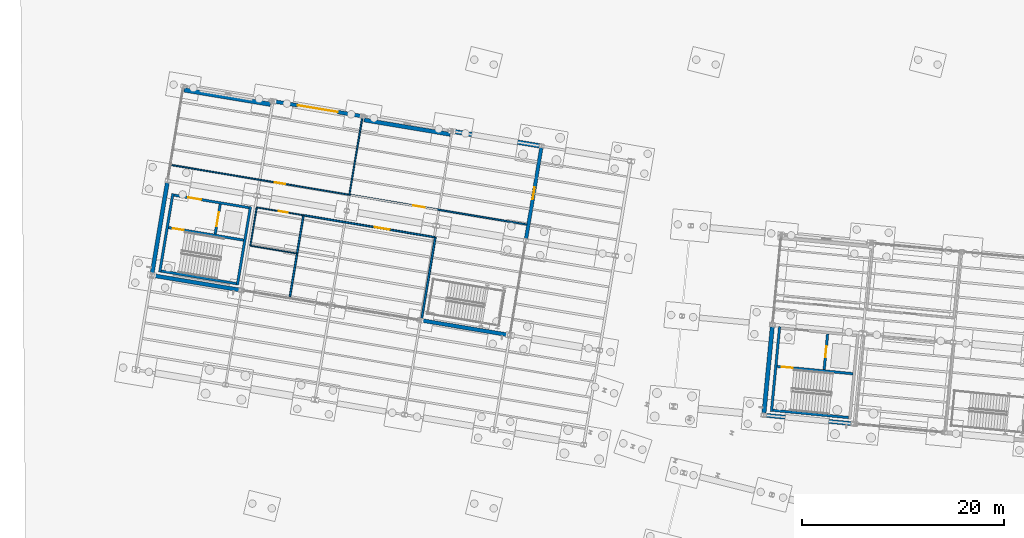
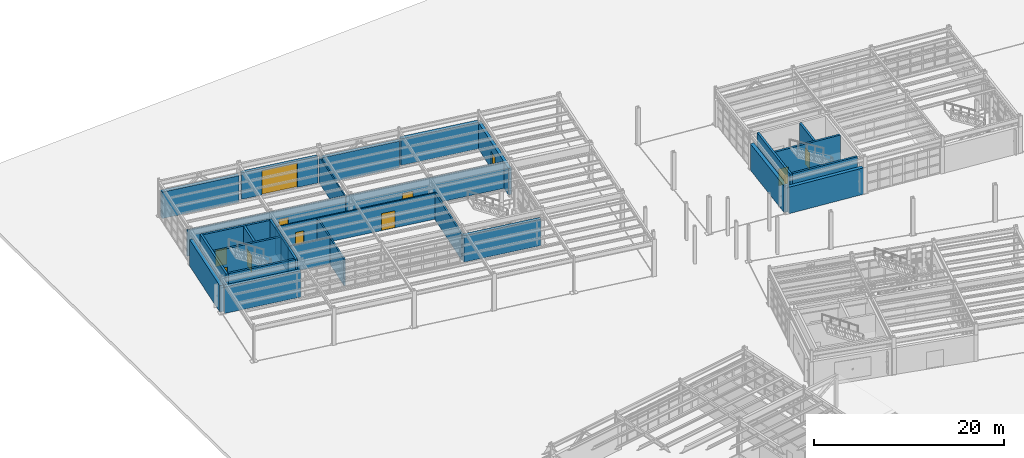
# One storey, part 86 of 108: 29 walls, 11 doors, 11 openings.
"""IFC4 building model written with IfcOpenShell, lengths in metres."""

from ifc_helpers import new_model, si_unit, direction, frame, frame_2d, origin, origin_with_axes, place, context, subcontext, project, spatial, rectangle, extrude, material, layer, layer_set, type_object, element, fill, save


model = new_model("IFC4")

# Units and contexts
model_context = context("Model", 3, precision=1e-05, world=origin(), true_north=direction((0.0, 1.0)))
body_context = subcontext(model_context, "Body", "Model", "MODEL_VIEW")
ifc_project = project(units=[si_unit("LENGTHUNIT", "METRE"), si_unit("AREAUNIT", "SQUARE_METRE"), si_unit("VOLUMEUNIT", "CUBIC_METRE"), si_unit("PLANEANGLEUNIT", "RADIAN"), si_unit("MASSUNIT", "GRAM", prefix="KILO")], contexts=[model_context])

# Site, building, storey
site_placement = place(None, origin())
site = spatial("IfcSite", under=ifc_project, at=site_placement, CompositionType="ELEMENT")
building_placement = place(site_placement, origin())
building = spatial("IfcBuilding", under=site, at=building_placement, Name="Vireo Bluff Cable Station", CompositionType="ELEMENT")
storey_placement = place(building_placement, origin())
storey = spatial("IfcBuildingStorey", under=building, at=storey_placement, Name="L00", CompositionType="ELEMENT", Elevation=0.0)

# Wall, opening, door
ifc_material_1 = material(Name="Precast concrete f'c 45 MPa", Category="concrete")
ifc_layer_1 = layer(ifc_material_1, 0.35009765625, Name="Precast concrete f'c 45 MPa")
ifc_layer_set_1 = layer_set([ifc_layer_1], Name="Precast concrete f'c 45 MPa")
wall_type_1 = type_object("IfcWallType", Name="EW-PRECAST-350", PredefinedType="SOLIDWALL", material=ifc_layer_set_1)
wall_1_placement = place(storey_placement, frame((45.6845703125, 93.5146484375, 0.0), z_axis=(0.0, 0.0, 1.0), x_axis=(-0.165040405131, -0.986286806499, 0.0)))
wall_1 = element("IfcWall", 1, at=wall_1_placement, inside=storey, type_object=wall_type_1, Name="V4 L00 east exterior wall 72", PredefinedType="SOLIDWALL", context=body_context, shape_type="SweptSolid", body=[
    extrude(rectangle(XDim=9.134521484375, YDim=0.35009765625, at=frame_2d((4.5673828125, 0.0))), origin(), (0.0, 0.0, 1.0), 3.39990234375),
])
opening_1_placement = place(wall_1_placement, frame((3.96728515625, 0.0, 0.0)))
opening_1 = element("IfcOpeningElement", 2, at=opening_1_placement, cuts=wall_1, Name="Opening ED-005", PredefinedType="OPENING", context=body_context, shape_type="SweptSolid", body=[
    extrude(rectangle(XDim=1.199951171875, YDim=2.199951171875, at=frame_2d((0.60009765625, 1.10009765625))), frame((0.0, 0.18505859375, 0.0), z_axis=(0.0, -1.0, 0.0), x_axis=(1.0, 0.0, 0.0)), (0.0, 0.0, 1.0), 0.3701171875),
])
ifc_material_2 = material(Name="Anodized Aluminium 6063-T6", Category="aluminium")
door_type_1 = type_object("IfcDoorType", Name="EDOOR-1200X2200", OperationType="NOTDEFINED", PredefinedType="DOOR", material=ifc_material_2)
door_1_placement = place(opening_1_placement, origin_with_axes())
door_1 = element("IfcDoor", 3, at=door_1_placement, inside=storey, type_object=door_type_1, Name="V4 L00 plaza exit door ED-005", OperationType="SINGLE_SWING_RIGHT", OverallHeight=2.199951171875, OverallWidth=1.199951171875, PredefinedType="DOOR", context=body_context, shape_type="SweptSolid", body=[
    extrude(rectangle(XDim=1.199951171875, YDim=2.199951171875, at=frame_2d((0.60009765625, 1.10009765625))), frame((0.0, 0.02490234375, 0.0), z_axis=(0.0, -1.0, 0.0), x_axis=(1.0, 0.0, 0.0)), (0.0, 0.0, 1.0), 0.050048828125),
])
fill(opening_1, door_1)

# Walls
ifc_layer_2 = layer(ifc_material_1, 0.3798828125, Name="Precast concrete f'c 45 MPa")
ifc_layer_set_2 = layer_set([ifc_layer_2], Name="Precast concrete f'c 45 MPa")
wall_type_2 = type_object("IfcWallType", Name="EW-PRECAST-380", PredefinedType="SOLIDWALL", material=ifc_layer_set_2)
wall_2_placement = place(storey_placement, frame((42.37451171875, 74.96142578125, 0.0), z_axis=(0.0, 0.0, 1.0), x_axis=(-0.986285932654, 0.16504562717, 0.0)))
element("IfcWall", 4, at=wall_2_placement, inside=storey, type_object=wall_type_2, Name="V4 L00 south exterior wall 65", PredefinedType="SOLIDWALL", context=body_context, shape_type="SweptSolid", body=[
    extrude(rectangle(XDim=8.693359375, YDim=0.3798828125, at=frame_2d((4.3466796875, 0.0))), origin(), (0.0, 0.0, 1.0), 3.39990234375),
])
ifc_layer_3 = layer(ifc_material_1, 0.389892578125, Name="Precast concrete f'c 45 MPa")
ifc_layer_set_3 = layer_set([ifc_layer_3], Name="Precast concrete f'c 45 MPa")
wall_type_3 = type_object("IfcWallType", Name="EW-PRECAST-390", PredefinedType="SOLIDWALL", material=ifc_layer_set_3)
wall_3_placement = place(storey_placement, frame((15.742431640625, 79.418212890625, 0.0), z_axis=(0.0, 0.0, 1.0), x_axis=(-0.986290059757, 0.165020962379, 0.0)))
element("IfcWall", 5, at=wall_3_placement, inside=storey, type_object=wall_type_3, Name="V4 L00 south exterior wall 66", PredefinedType="SOLIDWALL", context=body_context, shape_type="SweptSolid", body=[
    extrude(rectangle(XDim=8.5927734375, YDim=0.389892578125, at=frame_2d((4.29638671875, 0.0))), origin(), (0.0, 0.0, 1.0), 3.39990234375),
])
ifc_layer_4 = layer(ifc_material_1, 0.39990234375, Name="Precast concrete f'c 45 MPa")
ifc_layer_set_4 = layer_set([ifc_layer_4], Name="Precast concrete f'c 45 MPa")
wall_type_4 = type_object("IfcWallType", Name="EW-PRECAST-400", PredefinedType="SOLIDWALL", material=ifc_layer_set_4)
wall_4_placement = place(storey_placement, frame((7.101318359375, 81.068359375, 0.0), z_axis=(0.0, 0.0, 1.0), x_axis=(0.165021285013, 0.986290005776, 0.0)))
element("IfcWall", 6, at=wall_4_placement, inside=storey, type_object=wall_type_4, Name="V4 L00 west exterior wall 67", PredefinedType="SOLIDWALL", context=body_context, shape_type="SweptSolid", body=[
    extrude(rectangle(XDim=9.09716796875, YDim=0.39990234375, at=frame_2d((4.548583984375, 0.0))), origin(), (0.0, 0.0, 1.0), 3.39990234375),
])
ifc_layer_5 = layer(ifc_material_1, 0.409912109375, Name="Precast concrete f'c 45 MPa")
ifc_layer_set_5 = layer_set([ifc_layer_5], Name="Precast concrete f'c 45 MPa")
wall_type_5 = type_object("IfcWallType", Name="EW-PRECAST-410", PredefinedType="SOLIDWALL", material=ifc_layer_set_5)
wall_5_placement = place(storey_placement, frame((76.49267578125, 66.160888671875, 0.0), z_axis=(0.0, 0.0, 1.0), x_axis=(-0.995396995902, 0.095837469448, 0.0)))
element("IfcWall", 7, at=wall_5_placement, inside=storey, type_object=wall_type_5, Name="V3 L00 south exterior wall 48", PredefinedType="SOLIDWALL", context=body_context, shape_type="SweptSolid", body=[
    extrude(rectangle(XDim=8.592529296875, YDim=0.409912109375, at=frame_2d((4.29638671875, 0.0))), origin(), (0.0, 0.0, 1.0), 3.39990234375),
])
ifc_layer_6 = layer(ifc_material_1, 0.419921875, Name="Precast concrete f'c 45 MPa")
ifc_layer_set_6 = layer_set([ifc_layer_6], Name="Precast concrete f'c 45 MPa")
wall_type_6 = type_object("IfcWallType", Name="EW-PRECAST-420", PredefinedType="SOLIDWALL", material=ifc_layer_set_6)
wall_6_placement = place(storey_placement, frame((67.75732421875, 67.204345703125, 0.0), z_axis=(0.0, 0.0, 1.0), x_axis=(0.09585811698, 0.995395007728, 0.0)))
element("IfcWall", 8, at=wall_6_placement, inside=storey, type_object=wall_type_6, Name="V3 L00 west exterior wall 49", PredefinedType="SOLIDWALL", context=body_context, shape_type="SweptSolid", body=[
    extrude(rectangle(XDim=8.588134765625, YDim=0.419921875, at=frame_2d((4.2939453125, 0.0))), origin(), (0.0, 0.0, 1.0), 3.39990234375),
])
ifc_material_3 = material(Name="Fire-Rated Gypsum Board Partition")
ifc_layer_7 = layer(ifc_material_3, 0.110107421875, Name="Fire-Rated Gypsum Board Partition")
ifc_layer_set_7 = layer_set([ifc_layer_7], Name="Fire-Rated Gypsum Board Partition")
wall_type_7 = type_object("IfcWallType", Name="PT-1HR-110", PredefinedType="PARTITIONING", material=ifc_layer_set_7)
wall_7_placement = place(storey_placement, frame((21.42138671875, 83.0302734375, 0.0), z_axis=(0.0, 0.0, 1.0), x_axis=(-0.986281592059, 0.165071563771, 0.0)))
element("IfcWall", 9, at=wall_7_placement, inside=storey, type_object=wall_type_7, Name="V4 L00 Accessible WC L00-V4 S partition", PredefinedType="PARTITIONING", context=body_context, shape_type="SweptSolid", body=[
    extrude(rectangle(XDim=4.64990234375, YDim=0.110107421875, at=frame_2d((2.324951171875, 0.0))), origin(), (0.0, 0.0, 1.0), 3.3798828125),
])

# Wall, opening, door
ifc_layer_8 = layer(ifc_material_3, 0.1201171875, Name="Fire-Rated Gypsum Board Partition")
ifc_layer_set_8 = layer_set([ifc_layer_8], Name="Fire-Rated Gypsum Board Partition")
wall_type_8 = type_object("IfcWallType", Name="PT-1HR-120", PredefinedType="PARTITIONING", material=ifc_layer_set_8)
wall_8_placement = place(storey_placement, frame((17.470703125, 87.594970703125, 0.0), z_axis=(0.0, 0.0, 1.0), x_axis=(0.986290138779, -0.165020490082, 0.0)))
wall_8 = element("IfcWall", 10, at=wall_8_placement, inside=storey, type_object=wall_type_8, Name="V4 L00 Accessible WC L00-V4 N partition", PredefinedType="PARTITIONING", context=body_context, shape_type="SweptSolid", body=[
    extrude(rectangle(XDim=4.64990234375, YDim=0.1201171875, at=frame_2d((2.324951171875, 0.0))), origin(), (0.0, 0.0, 1.0), 3.3798828125),
])
opening_2_placement = place(wall_8_placement, frame((2.20458984375, 0.0, 0.0)))
opening_2 = element("IfcOpeningElement", 11, at=opening_2_placement, cuts=wall_8, Name="Opening D-0089", PredefinedType="OPENING", context=body_context, shape_type="SweptSolid", body=[
    extrude(rectangle(XDim=0.919921875, YDim=2.1201171875, at=frame_2d((0.4599609375, 1.06005859375))), frame((0.0, 0.070068359375, 0.0), z_axis=(0.0, -1.0, 0.0), x_axis=(1.0, 0.0, 0.0)), (0.0, 0.0, 1.0), 0.14013671875),
])
door_type_2 = type_object("IfcDoorType", Name="IDOOR60-920X2120", OperationType="NOTDEFINED", PredefinedType="DOOR", material=ifc_material_2)
door_2_placement = place(opening_2_placement, origin_with_axes())
door_2 = element("IfcDoor", 12, at=door_2_placement, inside=storey, type_object=door_type_2, Name="V4 L00 Accessible WC L00-V4 door D-0089", OperationType="SINGLE_SWING_RIGHT", OverallHeight=2.1201171875, OverallWidth=0.919921875, PredefinedType="DOOR", context=body_context, shape_type="SweptSolid", body=[
    extrude(rectangle(XDim=0.919921875, YDim=2.1201171875, at=frame_2d((0.4599609375, 1.06005859375))), frame((0.0, 0.02490234375, 0.0), z_axis=(0.0, -1.0, 0.0), x_axis=(1.0, 0.0, 0.0)), (0.0, 0.0, 1.0), 0.050048828125),
])
fill(opening_2, door_2)

ifc_layer_9 = layer(ifc_material_3, 0.1298828125, Name="Fire-Rated Gypsum Board Partition")
ifc_layer_set_9 = layer_set([ifc_layer_9], Name="Fire-Rated Gypsum Board Partition")
wall_type_9 = type_object("IfcWallType", Name="PT-1HR-130", PredefinedType="PARTITIONING", material=ifc_layer_set_9)
wall_9_placement = place(storey_placement, frame((26.653076171875, 88.8466796875, 0.0), z_axis=(0.0, 0.0, 1.0), x_axis=(-0.986287135312, 0.165038440121, 0.0)))
wall_9 = element("IfcWall", 13, at=wall_9_placement, inside=storey, type_object=wall_type_9, Name="V4 L00 Heavy Tool Crib S partition", PredefinedType="PARTITIONING", context=body_context, shape_type="SweptSolid", body=[
    extrude(rectangle(XDim=17.829833984375, YDim=0.1298828125, at=frame_2d((8.9150390625, 0.0))), origin(), (0.0, 0.0, 1.0), 3.3798828125),
])
opening_3_placement = place(wall_9_placement, frame((6.43505859375, 0.0, 0.0)))
opening_3 = element("IfcOpeningElement", 14, at=opening_3_placement, cuts=wall_9, Name="Opening D-0086", PredefinedType="OPENING", context=body_context, shape_type="SweptSolid", body=[
    extrude(rectangle(XDim=1.050048828125, YDim=2.199951171875, at=frame_2d((0.52490234375, 1.10009765625))), frame((0.0, 0.074951171875, 0.0), z_axis=(0.0, -1.0, 0.0), x_axis=(1.0, 0.0, 0.0)), (0.0, 0.0, 1.0), 0.14990234375),
])
door_type_3 = type_object("IfcDoorType", Name="IDOOR60-1050X2200", OperationType="NOTDEFINED", PredefinedType="DOOR", material=ifc_material_2)
door_3_placement = place(opening_3_placement, origin_with_axes())
door_3 = element("IfcDoor", 15, at=door_3_placement, inside=storey, type_object=door_type_3, Name="V4 L00 Heavy Tool Crib door D-0086", OperationType="SINGLE_SWING_LEFT", OverallHeight=2.199951171875, OverallWidth=1.050048828125, PredefinedType="DOOR", context=body_context, shape_type="SweptSolid", body=[
    extrude(rectangle(XDim=1.050048828125, YDim=2.199951171875, at=frame_2d((0.52490234375, 1.10009765625))), frame((0.0, 0.02490234375, 0.0), z_axis=(0.0, -1.0, 0.0), x_axis=(1.0, 0.0, 0.0)), (0.0, 0.0, 1.0), 0.050048828125),
])
fill(opening_3, door_3)

# Walls
wall_10_placement = place(storey_placement, frame((16.835205078125, 83.7978515625, 0.0), z_axis=(0.0, 0.0, 1.0), x_axis=(0.165067370347, 0.986282293893, 0.0)))
element("IfcWall", 16, at=wall_10_placement, inside=storey, type_object=wall_type_9, Name="V4 L00 Accessible WC L00-V4 W partition", PredefinedType="PARTITIONING", context=body_context, shape_type="SweptSolid", body=[
    extrude(rectangle(XDim=3.849853515625, YDim=0.1298828125, at=frame_2d((1.9248046875, 0.0))), origin(), (0.0, 0.0, 1.0), 3.3798828125),
])
ifc_layer_10 = layer(ifc_material_3, 0.139892578125, Name="Fire-Rated Gypsum Board Partition")
ifc_layer_set_10 = layer_set([ifc_layer_10], Name="Fire-Rated Gypsum Board Partition")
wall_type_10 = type_object("IfcWallType", Name="PT-1HR-140", PredefinedType="PARTITIONING", material=ifc_layer_set_10)
wall_11_placement = place(storey_placement, frame((27.928955078125, 96.470703125, 0.0), z_axis=(0.0, 0.0, 1.0), x_axis=(-0.165054518639, -0.98628444471, 0.0)))
element("IfcWall", 17, at=wall_11_placement, inside=storey, type_object=wall_type_10, Name="V4 L00 Heavy Tool Crib E partition", PredefinedType="PARTITIONING", context=body_context, shape_type="SweptSolid", body=[
    extrude(rectangle(XDim=7.72998046875, YDim=0.139892578125, at=frame_2d((3.864990234375, 0.0))), origin(), (0.0, 0.0, 1.0), 3.3798828125),
])

# Wall, opening, door
ifc_layer_11 = layer(ifc_material_3, 0.14990234375, Name="Fire-Rated Gypsum Board Partition")
ifc_layer_set_11 = layer_set([ifc_layer_11], Name="Fire-Rated Gypsum Board Partition")
wall_type_11 = type_object("IfcWallType", Name="PT-1HR-150", PredefinedType="PARTITIONING", material=ifc_layer_set_11)
wall_12_placement = place(storey_placement, frame((44.238525390625, 85.90380859375, 0.0), z_axis=(0.0, 0.0, 1.0), x_axis=(-0.986285344318, 0.165049142935, 0.0)))
wall_12 = element("IfcWall", 18, at=wall_12_placement, inside=storey, type_object=wall_type_11, Name="V4 L00 Staff Locker Room L00 S partition", PredefinedType="PARTITIONING", context=body_context, shape_type="SweptSolid", body=[
    extrude(rectangle(XDim=17.780029296875, YDim=0.14990234375, at=frame_2d((8.89013671875, 0.0))), origin(), (0.0, 0.0, 1.0), 3.3798828125),
])
opening_4_placement = place(wall_12_placement, frame((10.251953125, 0.0, 0.0)))
opening_4 = element("IfcOpeningElement", 19, at=opening_4_placement, cuts=wall_12, Name="Opening D-0087", PredefinedType="OPENING", context=body_context, shape_type="SweptSolid", body=[
    extrude(rectangle(XDim=1.14990234375, YDim=2.14990234375, at=frame_2d((0.574951171875, 1.074951171875))), frame((0.0, 0.0849609375, 0.0), z_axis=(0.0, -1.0, 0.0), x_axis=(1.0, 0.0, 0.0)), (0.0, 0.0, 1.0), 0.169921875),
])
door_type_4 = type_object("IfcDoorType", Name="IDOOR60-1150X2150", OperationType="NOTDEFINED", PredefinedType="DOOR", material=ifc_material_2)
door_4_placement = place(opening_4_placement, origin_with_axes())
door_4 = element("IfcDoor", 20, at=door_4_placement, inside=storey, type_object=door_type_4, Name="V4 L00 Staff Locker Room L00 door D-0087", OperationType="SINGLE_SWING_RIGHT", OverallHeight=2.14990234375, OverallWidth=1.14990234375, PredefinedType="DOOR", context=body_context, shape_type="SweptSolid", body=[
    extrude(rectangle(XDim=1.14990234375, YDim=2.14990234375, at=frame_2d((0.574951171875, 1.074951171875))), frame((0.0, 0.02490234375, 0.0), z_axis=(0.0, -1.0, 0.0), x_axis=(1.0, 0.0, 0.0)), (0.0, 0.0, 1.0), 0.050048828125),
])
fill(opening_4, door_4)

ifc_layer_12 = layer(ifc_material_3, 0.1650390625, Name="Fire-Rated Gypsum Board Partition")
ifc_layer_set_12 = layer_set([ifc_layer_12], Name="Fire-Rated Gypsum Board Partition")
wall_type_12 = type_object("IfcWallType", Name="PT-1HR-165", PredefinedType="PARTITIONING", material=ifc_layer_set_12)
wall_13_placement = place(storey_placement, frame((22.106201171875, 86.8193359375, 0.0), z_axis=(0.0, 0.0, 1.0), x_axis=(0.986284147331, -0.165056295617, 0.0)))
wall_13 = element("IfcWall", 21, at=wall_13_placement, inside=storey, type_object=wall_type_12, Name="V4 L00 Ropeway Parts Store N partition", PredefinedType="PARTITIONING", context=body_context, shape_type="SweptSolid", body=[
    extrude(rectangle(XDim=13.25, YDim=0.1650390625, at=frame_2d((6.625, 0.0))), origin(), (0.0, 0.0, 1.0), 3.3798828125),
])
opening_5_placement = place(wall_13_placement, frame((7.177001953125, 0.0, 0.0)))
opening_5 = element("IfcOpeningElement", 22, at=opening_5_placement, cuts=wall_13, Name="Opening D-0088", PredefinedType="OPENING", context=body_context, shape_type="SweptSolid", body=[
    extrude(rectangle(XDim=1.5, YDim=2.199951171875, at=frame_2d((0.75, 1.10009765625))), frame((0.0, 0.092529296875, 0.0), z_axis=(0.0, -1.0, 0.0), x_axis=(1.0, 0.0, 0.0)), (0.0, 0.0, 1.0), 0.18505859375),
])
door_type_5 = type_object("IfcDoorType", Name="IDOOR60-1500X2200", OperationType="NOTDEFINED", PredefinedType="DOOR", material=ifc_material_2)
door_5_placement = place(opening_5_placement, origin_with_axes())
door_5 = element("IfcDoor", 23, at=door_5_placement, inside=storey, type_object=door_type_5, Name="V4 L00 Ropeway Parts Store door D-0088", OperationType="DOUBLE_DOOR_SINGLE_SWING", OverallHeight=2.199951171875, OverallWidth=1.5, PredefinedType="DOOR", context=body_context, shape_type="SweptSolid", body=[
    extrude(rectangle(XDim=1.5, YDim=2.199951171875, at=frame_2d((0.75, 1.10009765625))), frame((0.0, 0.02490234375, 0.0), z_axis=(0.0, -1.0, 0.0), x_axis=(1.0, 0.0, 0.0)), (0.0, 0.0, 1.0), 0.050048828125),
])
fill(opening_5, door_5)

# Walls
ifc_layer_13 = layer(ifc_material_3, 0.175048828125, Name="Fire-Rated Gypsum Board Partition")
ifc_layer_set_13 = layer_set([ifc_layer_13], Name="Fire-Rated Gypsum Board Partition")
wall_type_13 = type_object("IfcWallType", Name="PT-1HR-175", PredefinedType="PARTITIONING", material=ifc_layer_set_13)
wall_14_placement = place(storey_placement, frame((20.756103515625, 78.75146484375, 0.0), z_axis=(0.0, 0.0, 1.0), x_axis=(0.165047493803, 0.986285620289, 0.0)))
element("IfcWall", 24, at=wall_14_placement, inside=storey, type_object=wall_type_13, Name="V4 L00 Ropeway Parts Store W partition", PredefinedType="PARTITIONING", context=body_context, shape_type="SweptSolid", body=[
    extrude(rectangle(XDim=8.18017578125, YDim=0.175048828125, at=frame_2d((4.090087890625, 0.0))), origin(), (0.0, 0.0, 1.0), 3.3798828125),
])
ifc_layer_14 = layer(ifc_material_3, 0.18994140625, Name="Fire-Rated Gypsum Board Partition")
ifc_layer_set_14 = layer_set([ifc_layer_14], Name="Fire-Rated Gypsum Board Partition")
wall_type_14 = type_object("IfcWallType", Name="PT-1HR-190", PredefinedType="PARTITIONING", material=ifc_layer_set_14)
wall_15_placement = place(storey_placement, frame((35.174560546875, 84.63232421875, 0.0), z_axis=(0.0, 0.0, 1.0), x_axis=(-0.165052352368, -0.986284807233, 0.0)))
element("IfcWall", 25, at=wall_15_placement, inside=storey, type_object=wall_type_14, Name="V4 L00 Ropeway Parts Store E partition", PredefinedType="PARTITIONING", context=body_context, shape_type="SweptSolid", body=[
    extrude(rectangle(XDim=8.179931640625, YDim=0.18994140625, at=frame_2d((4.08984375, 0.0))), origin(), (0.0, 0.0, 1.0), 3.3798828125),
])

# Wall, opening, door
ifc_material_4 = material(Name="Concrete f'c 40 MPa", Category="concrete")
ifc_layer_15 = layer(ifc_material_4, 0.360107421875, Name="Concrete f'c 40 MPa")
ifc_layer_set_15 = layer_set([ifc_layer_15], Name="Concrete f'c 40 MPa")
wall_type_15 = type_object("IfcWallType", Name="RW-CONC-360", PredefinedType="USERDEFINED", material=ifc_layer_set_15)
wall_16_placement = place(storey_placement, frame((19.28271484375, 98.08984375, 0.0), z_axis=(0.0, 0.0, 1.0), x_axis=(0.986284660962, -0.165053226421, 0.0)))
wall_16 = element("IfcWall", 26, at=wall_16_placement, inside=storey, type_object=wall_type_15, Name="V4 L00 north exterior wall 69", ObjectType="RETAINING WALL", PredefinedType="USERDEFINED", context=body_context, shape_type="SweptSolid", body=[
    extrude(rectangle(XDim=8.592529296875, YDim=0.360107421875, at=frame_2d((4.29638671875, 0.0))), origin(), (0.0, 0.0, 1.0), 3.39990234375),
])
opening_6_placement = place(wall_16_placement, frame((2.296142578125, 0.0, 0.0)))
opening_6 = element("IfcOpeningElement", 27, at=opening_6_placement, cuts=wall_16, Name="Opening VG-02", PredefinedType="OPENING", context=body_context, shape_type="SweptSolid", body=[
    extrude(rectangle(XDim=4.0, YDim=3.14990234375, at=frame_2d((2.0, 1.574951171875))), frame((0.0, 0.18994140625, 0.0), z_axis=(0.0, -1.0, 0.0), x_axis=(1.0, 0.0, 0.0)), (0.0, 0.0, 1.0), 0.380126953125),
])
ifc_material_5 = material(Name="Standing-Seam Titanium-Zinc Cladding")
door_type_6 = type_object("IfcDoorType", Name="VGATE-4000X3150", OperationType="ROLLINGUP", PredefinedType="GATE", material=ifc_material_5)
door_6_placement = place(opening_6_placement, origin_with_axes())
door_6 = element("IfcDoor", 28, at=door_6_placement, inside=storey, type_object=door_type_6, Name="V4 L00 roller shutter gate VG-02", OperationType="ROLLINGUP", OverallHeight=3.14990234375, OverallWidth=4.0, PredefinedType="GATE", context=body_context, shape_type="SweptSolid", body=[
    extrude(rectangle(XDim=4.0, YDim=3.14990234375, at=frame_2d((2.0, 1.574951171875))), frame((0.0, 0.02490234375, 0.0), z_axis=(0.0, -1.0, 0.0), x_axis=(1.0, 0.0, 0.0)), (0.0, 0.0, 1.0), 0.050048828125),
])
fill(opening_6, door_6)

# Walls
ifc_layer_16 = layer(ifc_material_4, 0.39990234375, Name="Concrete f'c 40 MPa")
ifc_layer_set_16 = layer_set([ifc_layer_16], Name="Concrete f'c 40 MPa")
wall_type_16 = type_object("IfcWallType", Name="RW-CONC-400", PredefinedType="USERDEFINED", material=ifc_layer_set_16)
wall_17_placement = place(storey_placement, frame((28.1005859375, 96.26953125, 0.0), z_axis=(0.0, 0.0, 1.0), x_axis=(0.986286366257, -0.165043036012, 0.0)))
element("IfcWall", 29, at=wall_17_placement, inside=storey, type_object=wall_type_16, Name="V4 L00 north exterior wall 70", ObjectType="RETAINING WALL", PredefinedType="USERDEFINED", context=body_context, shape_type="SweptSolid", body=[
    extrude(rectangle(XDim=8.6669921875, YDim=0.39990234375, at=frame_2d((4.33349609375, 0.0))), origin(), (0.0, 0.0, 1.0), 3.39990234375),
])
ifc_layer_17 = layer(ifc_material_4, 0.449951171875, Name="Concrete f'c 40 MPa")
ifc_layer_set_17 = layer_set([ifc_layer_17], Name="Concrete f'c 40 MPa")
wall_type_17 = type_object("IfcWallType", Name="RW-CONC-450", PredefinedType="USERDEFINED", material=ifc_layer_set_17)
wall_18_placement = place(storey_placement, frame((10.27490234375, 99.25244140625, 0.0), z_axis=(0.0, 0.0, 1.0), x_axis=(0.986287882535, -0.165033974575, 0.0)))
element("IfcWall", 30, at=wall_18_placement, inside=storey, type_object=wall_type_17, Name="V4 L00 north exterior wall 68", ObjectType="RETAINING WALL", PredefinedType="USERDEFINED", context=body_context, shape_type="SweptSolid", body=[
    extrude(rectangle(XDim=8.666015625, YDim=0.449951171875, at=frame_2d((4.3330078125, 0.0))), origin(), (0.0, 0.0, 1.0), 3.39990234375),
])
wall_19_placement = place(storey_placement, frame((36.962158203125, 95.13134765625, 0.0), z_axis=(0.0, 0.0, 1.0), x_axis=(0.98628576008, -0.165046658444, 0.0)))
element("IfcWall", 31, at=wall_19_placement, inside=storey, type_object=wall_type_17, Name="V4 L00 north exterior wall 71", ObjectType="RETAINING WALL", PredefinedType="USERDEFINED", context=body_context, shape_type="SweptSolid", body=[
    extrude(rectangle(XDim=8.74072265625, YDim=0.449951171875, at=frame_2d((4.370361328125, 0.0))), origin(), (0.0, 0.0, 1.0), 3.39990234375),
])
ifc_layer_18 = layer(ifc_material_4, 0.25, Name="Concrete f'c 40 MPa")
ifc_layer_set_18 = layer_set([ifc_layer_18], Name="Concrete f'c 40 MPa")
wall_type_18 = type_object("IfcWallType", Name="SW-CORE-250", PredefinedType="SHEAR", material=ifc_layer_set_18)
wall_20_placement = place(storey_placement, frame((68.501953125, 67.372314453125, 0.0), z_axis=(0.0, 0.0, 1.0), x_axis=(0.095832083117, 0.995397514486, 0.0)))
element("IfcWall", 32, at=wall_20_placement, inside=storey, type_object=wall_type_18, Name="CORE-1 L00 core W shear wall", PredefinedType="SHEAR", context=body_context, shape_type="SweptSolid", body=[
    extrude(rectangle(XDim=8.43505859375, YDim=0.25, at=frame_2d((4.217529296875, 0.0))), origin(), (0.0, 0.0, 1.0), 4.5400390625),
])
wall_21_placement = place(storey_placement, frame((68.638427734375, 67.48486328125, 0.0), z_axis=(0.0, 0.0, 1.0), x_axis=(0.995396104215, -0.095846730326, 0.0)))
element("IfcWall", 33, at=wall_21_placement, inside=storey, type_object=wall_type_18, Name="CORE-1 L00 stair shaft south shear wall", PredefinedType="SHEAR", context=body_context, shape_type="SweptSolid", body=[
    extrude(rectangle(XDim=7.5498046875, YDim=0.25, at=frame_2d((3.77490234375, 0.0))), origin(), (0.0, 0.0, 1.0), 4.5400390625),
])

# Wall, opening, door
wall_22_placement = place(storey_placement, frame((69.05712890625, 71.834716796875, 0.0), z_axis=(0.0, 0.0, 1.0), x_axis=(0.995396401267, -0.095843645303, 0.0)))
wall_22 = element("IfcWall", 34, at=wall_22_placement, inside=storey, type_object=wall_type_18, Name="CORE-1 L00 stair shaft north shear wall", PredefinedType="SHEAR", context=body_context, shape_type="SweptSolid", body=[
    extrude(rectangle(XDim=7.550048828125, YDim=0.25, at=frame_2d((3.77490234375, 0.0))), origin(), (0.0, 0.0, 1.0), 4.5400390625),
])
opening_7_placement = place(wall_22_placement, frame((0.449951171875, 0.0, 0.0)))
opening_7 = element("IfcOpeningElement", 35, at=opening_7_placement, cuts=wall_22, Name="Opening SD-001", PredefinedType="OPENING", context=body_context, shape_type="SweptSolid", body=[
    extrude(rectangle(XDim=1.10009765625, YDim=2.14990234375, at=frame_2d((0.550048828125, 1.074951171875))), frame((0.0, 0.135009765625, 0.0), z_axis=(0.0, -1.0, 0.0), x_axis=(1.0, 0.0, 0.0)), (0.0, 0.0, 1.0), 0.27001953125),
])
ifc_material_6 = material(Name="Stainless Steel 316", Category="steel")
door_type_7 = type_object("IfcDoorType", Name="IDOOR90-1100X2150", OperationType="NOTDEFINED", PredefinedType="DOOR", material=ifc_material_6)
door_7_placement = place(opening_7_placement, origin_with_axes())
door_7 = element("IfcDoor", 36, at=door_7_placement, inside=storey, type_object=door_type_7, Name="CORE-1 L00 stair fire door SD-001", OperationType="SINGLE_SWING_RIGHT", OverallHeight=2.14990234375, OverallWidth=1.10009765625, PredefinedType="DOOR", context=body_context, shape_type="SweptSolid", body=[
    extrude(rectangle(XDim=1.10009765625, YDim=2.14990234375, at=frame_2d((0.550048828125, 1.074951171875))), frame((0.0, 0.02490234375, 0.0), z_axis=(0.0, -1.0, 0.0), x_axis=(1.0, 0.0, 0.0)), (0.0, 0.0, 1.0), 0.050048828125),
])
fill(opening_7, door_7)

wall_23_placement = place(storey_placement, frame((73.72265625, 71.510986328125, 0.0), z_axis=(0.0, 0.0, 1.0), x_axis=(0.095807665029, 0.99539986504, 0.0)))
wall_23 = element("IfcWall", 37, at=wall_23_placement, inside=storey, type_object=wall_type_18, Name="CORE-1 L00 lift shaft front wall", PredefinedType="SHEAR", context=body_context, shape_type="SweptSolid", body=[
    extrude(rectangle(XDim=3.56494140625, YDim=0.25, at=frame_2d((1.782470703125, 0.0))), origin(), (0.0, 0.0, 1.0), 4.5400390625),
])
opening_8_placement = place(wall_23_placement, frame((1.232421875, 0.0, 0.0)))
opening_8 = element("IfcOpeningElement", 38, at=opening_8_placement, cuts=wall_23, Name="Opening LD-001", PredefinedType="OPENING", context=body_context, shape_type="SweptSolid", body=[
    extrude(rectangle(XDim=1.10009765625, YDim=2.14990234375, at=frame_2d((0.550048828125, 1.074951171875))), frame((0.0, 0.135009765625, 0.0), z_axis=(0.0, -1.0, 0.0), x_axis=(1.0, 0.0, 0.0)), (0.0, 0.0, 1.0), 0.27001953125),
])
door_type_8 = type_object("IfcDoorType", Name="LIFTDOOR-1100X2150", OperationType="DOUBLE_DOOR_SLIDING", PredefinedType="DOOR", material=ifc_material_6)
door_8_placement = place(opening_8_placement, origin_with_axes())
door_8 = element("IfcDoor", 39, at=door_8_placement, inside=storey, type_object=door_type_8, Name="CORE-1 L00 lift sliding landing door LD-001", OperationType="DOUBLE_DOOR_SLIDING", OverallHeight=2.14990234375, OverallWidth=1.10009765625, PredefinedType="DOOR", context=body_context, shape_type="SweptSolid", body=[
    extrude(rectangle(XDim=1.10009765625, YDim=2.14990234375, at=frame_2d((0.550048828125, 1.074951171875))), frame((0.0, 0.02490234375, 0.0), z_axis=(0.0, -1.0, 0.0), x_axis=(1.0, 0.0, 0.0)), (0.0, 0.0, 1.0), 0.050048828125),
])
fill(opening_8, door_8)

# Walls
for number, where, z_axis, x_axis, name in (
    (40, (7.855712890625, 81.18408203125, 0.0), (0.0, 0.0, 1.0), (0.165031598329, 0.986288280146, 0.0), "CORE-3 L00 core W shear wall"),
    (41, (15.548583984375, 79.896728515625, 0.0), (0.0, 0.0, 1.0), (0.16506171759, 0.98628323994, 0.0), "CORE-3 L00 core E shear wall"),
):
    element("IfcWall", number, at=place(storey_placement, frame(where, z_axis=z_axis, x_axis=x_axis)), inside=storey, type_object=wall_type_18, Name=name, PredefinedType="SHEAR", context=body_context, shape_type="SweptSolid", body=[
        extrude(rectangle(XDim=7.885009765625, YDim=0.25, at=frame_2d((3.9423828125, 0.0))), origin(), (0.0, 0.0, 1.0), 4.5400390625),
    ])
wall_24_placement = place(storey_placement, frame((7.99951171875, 81.28662109375, 0.0), z_axis=(0.0, 0.0, 1.0), x_axis=(0.986286216974, -0.165043928115, 0.0)))
element("IfcWall", 42, at=wall_24_placement, inside=storey, type_object=wall_type_18, Name="CORE-3 L00 stair shaft south shear wall", PredefinedType="SHEAR", context=body_context, shape_type="SweptSolid", body=[
    extrude(rectangle(XDim=7.550048828125, YDim=0.25, at=frame_2d((3.77490234375, 0.0))), origin(), (0.0, 0.0, 1.0), 4.5400390625),
])

# Wall, opening, door
wall_25_placement = place(storey_placement, frame((8.720703125, 85.5966796875, 0.0), z_axis=(0.0, 0.0, 1.0), x_axis=(0.986286216974, -0.165043928115, 0.0)))
wall_25 = element("IfcWall", 43, at=wall_25_placement, inside=storey, type_object=wall_type_18, Name="CORE-3 L00 stair shaft north shear wall", PredefinedType="SHEAR", context=body_context, shape_type="SweptSolid", body=[
    extrude(rectangle(XDim=7.550048828125, YDim=0.25, at=frame_2d((3.77490234375, 0.0))), origin(), (0.0, 0.0, 1.0), 4.5400390625),
])
opening_9_placement = place(wall_25_placement, frame((0.449951171875, 0.0, 0.0)))
opening_9 = element("IfcOpeningElement", 44, at=opening_9_placement, cuts=wall_25, Name="Opening SD-017", PredefinedType="OPENING", context=body_context, shape_type="SweptSolid", body=[
    extrude(rectangle(XDim=1.10009765625, YDim=2.14990234375, at=frame_2d((0.550048828125, 1.074951171875))), frame((0.0, 0.135009765625, 0.0), z_axis=(0.0, -1.0, 0.0), x_axis=(1.0, 0.0, 0.0)), (0.0, 0.0, 1.0), 0.27001953125),
])
door_9_placement = place(opening_9_placement, origin_with_axes())
door_9 = element("IfcDoor", 45, at=door_9_placement, inside=storey, type_object=door_type_7, Name="CORE-3 L00 stair fire door SD-017", OperationType="SINGLE_SWING_RIGHT", OverallHeight=2.14990234375, OverallWidth=1.10009765625, PredefinedType="DOOR", context=body_context, shape_type="SweptSolid", body=[
    extrude(rectangle(XDim=1.10009765625, YDim=2.14990234375, at=frame_2d((0.550048828125, 1.074951171875))), frame((0.0, 0.02490234375, 0.0), z_axis=(0.0, -1.0, 0.0), x_axis=(1.0, 0.0, 0.0)), (0.0, 0.0, 1.0), 0.050048828125),
])
fill(opening_9, door_9)

wall_26_placement = place(storey_placement, frame((9.259765625, 88.81689453125, 0.0), z_axis=(0.0, 0.0, 1.0), x_axis=(0.98628533611, -0.165049191984, 0.0)))
wall_26 = element("IfcWall", 46, at=wall_26_placement, inside=storey, type_object=wall_type_18, Name="CORE-3 L00 core north shear wall", PredefinedType="SHEAR", context=body_context, shape_type="SweptSolid", body=[
    extrude(rectangle(XDim=7.5498046875, YDim=0.25, at=frame_2d((3.77490234375, 0.0))), origin(), (0.0, 0.0, 1.0), 4.5400390625),
])
opening_10_placement = place(wall_26_placement, frame((1.449951171875, 0.0, 0.0)))
opening_10 = element("IfcOpeningElement", 47, at=opening_10_placement, cuts=wall_26, Name="Opening FD-018", PredefinedType="OPENING", context=body_context, shape_type="SweptSolid", body=[
    extrude(rectangle(XDim=1.300048828125, YDim=2.14990234375, at=frame_2d((0.64990234375, 1.074951171875))), frame((0.0, 0.135009765625, 0.0), z_axis=(0.0, -1.0, 0.0), x_axis=(1.0, 0.0, 0.0)), (0.0, 0.0, 1.0), 0.27001953125),
])
door_type_9 = type_object("IfcDoorType", Name="IDOOR90-1300X2150", OperationType="NOTDEFINED", PredefinedType="DOOR", material=ifc_material_6)
door_10_placement = place(opening_10_placement, origin_with_axes())
door_10 = element("IfcDoor", 48, at=door_10_placement, inside=storey, type_object=door_type_9, Name="CORE-3 L00 firefighting lobby door FD-018", OperationType="SINGLE_SWING_LEFT", OverallHeight=2.14990234375, OverallWidth=1.300048828125, PredefinedType="DOOR", context=body_context, shape_type="SweptSolid", body=[
    extrude(rectangle(XDim=1.300048828125, YDim=2.14990234375, at=frame_2d((0.64990234375, 1.074951171875))), frame((0.0, 0.02490234375, 0.0), z_axis=(0.0, -1.0, 0.0), x_axis=(1.0, 0.0, 0.0)), (0.0, 0.0, 1.0), 0.050048828125),
])
fill(opening_10, door_10)

wall_27_placement = place(storey_placement, frame((13.352294921875, 84.948486328125, 0.0), z_axis=(0.0, 0.0, 1.0), x_axis=(0.165029254052, 0.986288672401, 0.0)))
wall_27 = element("IfcWall", 49, at=wall_27_placement, inside=storey, type_object=wall_type_18, Name="CORE-3 L00 lift shaft front wall", PredefinedType="SHEAR", context=body_context, shape_type="SweptSolid", body=[
    extrude(rectangle(XDim=3.014892578125, YDim=0.25, at=frame_2d((1.50732421875, 0.0))), origin(), (0.0, 0.0, 1.0), 4.5400390625),
])
opening_11_placement = place(wall_27_placement, frame((0.8076171875, 0.0, 0.0)))
opening_11 = element("IfcOpeningElement", 50, at=opening_11_placement, cuts=wall_27, Name="Opening LD-009", PredefinedType="OPENING", context=body_context, shape_type="SweptSolid", body=[
    extrude(rectangle(XDim=1.39990234375, YDim=2.14990234375, at=frame_2d((0.699951171875, 1.074951171875))), frame((0.0, 0.135009765625, 0.0), z_axis=(0.0, -1.0, 0.0), x_axis=(1.0, 0.0, 0.0)), (0.0, 0.0, 1.0), 0.27001953125),
])
door_type_10 = type_object("IfcDoorType", Name="LIFTDOOR-1400X2200", OperationType="DOUBLE_DOOR_SLIDING", PredefinedType="DOOR", material=ifc_material_6)
door_11_placement = place(opening_11_placement, origin_with_axes())
door_11 = element("IfcDoor", 51, at=door_11_placement, inside=storey, type_object=door_type_10, Name="CORE-3 L00 lift sliding landing door LD-009", OperationType="DOUBLE_DOOR_SLIDING", OverallHeight=2.14990234375, OverallWidth=1.39990234375, PredefinedType="DOOR", context=body_context, shape_type="SweptSolid", body=[
    extrude(rectangle(XDim=1.39990234375, YDim=2.14990234375, at=frame_2d((0.699951171875, 1.074951171875))), frame((0.0, 0.02490234375, 0.0), z_axis=(0.0, -1.0, 0.0), x_axis=(1.0, 0.0, 0.0)), (0.0, 0.0, 1.0), 0.050048828125),
])
fill(opening_11, door_11)

save(model, "model.ifc")
